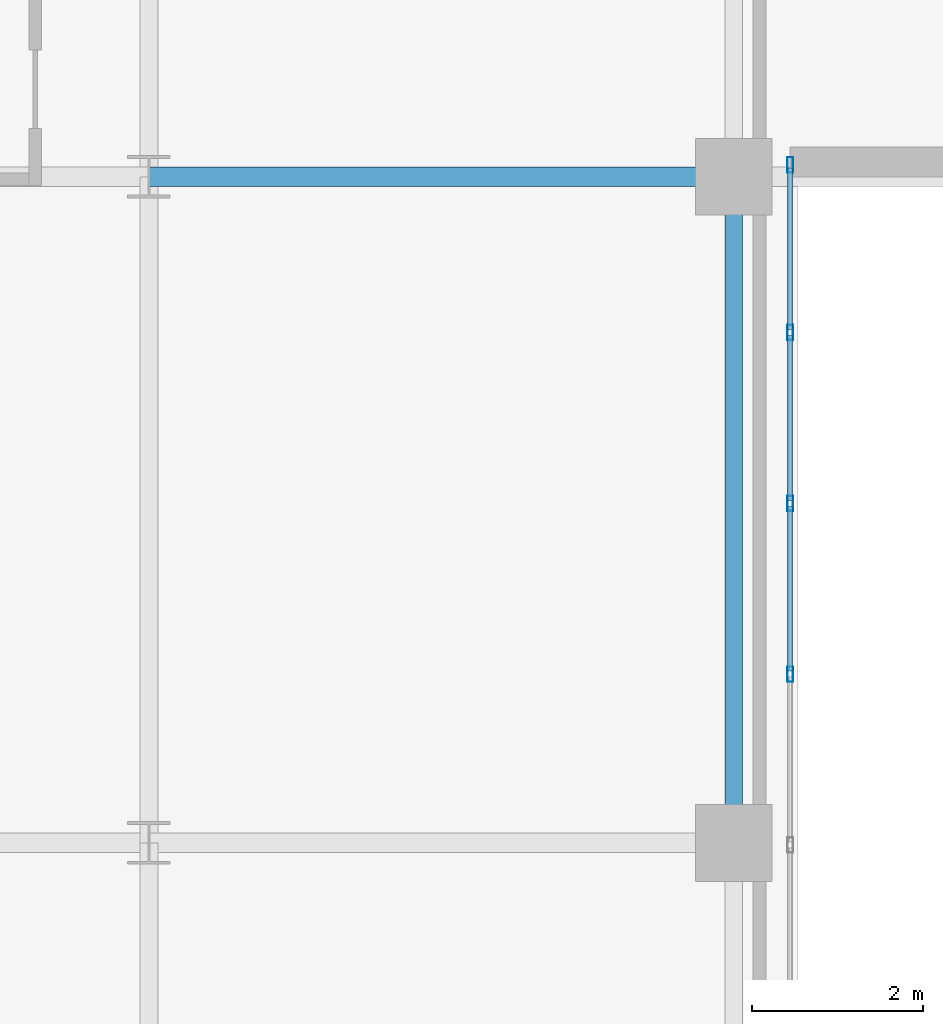
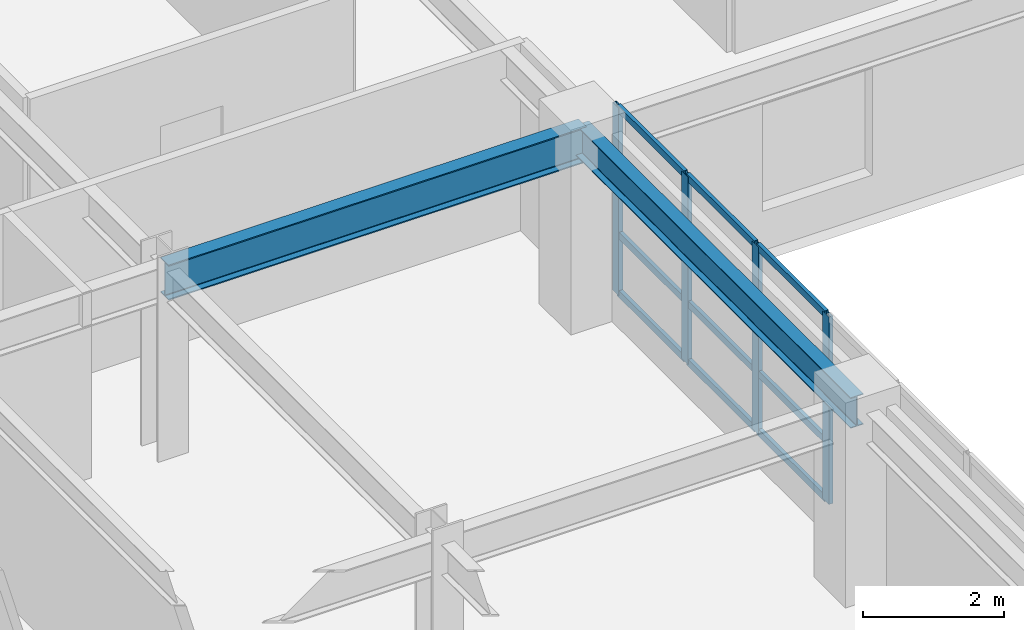
# One storey, part 3 of 16: 13 members, 2 beams, 1 element without a shape of its own.
"""IFC4 building model written with IfcOpenShell, lengths in metres."""

from ifc_helpers import new_model, si_unit, direction, frame, origin, origin_2d, place, context, subcontext, project, spatial, hollow_rectangle, i_section, extrude, source, transform, mapped, material, layer, layer_set, material_profile, profile_set, type_object, type_shapes, element, aggregate, save


model = new_model("IFC4")

# Units and contexts
model_context = context("Model", 3, precision=1e-05, world=origin(), true_north=direction((0.0, 1.0)))
body_context = subcontext(model_context, "Body", "Model", "MODEL_VIEW")
ifc_project = project(units=[si_unit("LENGTHUNIT", "METRE"), si_unit("AREAUNIT", "SQUARE_METRE"), si_unit("VOLUMEUNIT", "CUBIC_METRE"), si_unit("PLANEANGLEUNIT", "RADIAN"), si_unit("MASSUNIT", "GRAM", prefix="KILO")], contexts=[model_context])

# Site, building, storey
site_placement = place(None, origin())
site = spatial("IfcSite", under=ifc_project, at=site_placement, CompositionType="ELEMENT")
building_placement = place(site_placement, origin())
building = spatial("IfcBuilding", under=site, at=building_placement, Name="Tolvann Quenvar Hotel", CompositionType="ELEMENT")
storey_placement = place(building_placement, frame((0.0, 0.0, 92.35009765625)))
storey = spatial("IfcBuildingStorey", under=building, at=storey_placement, Name="L23", CompositionType="ELEMENT", Elevation=92.35009765625)

# Beams
ifc_material_1 = material(Name="Steel Grade 350", Category="steel")
ifc_material_profile_1 = material_profile(ifc_material_1, i_section(OverallWidth=0.22900390625, OverallDepth=0.612060546875, WebThickness=0.011962890625, FlangeThickness=0.01953125, FilletRadius=0.013916015625, at=origin_2d()), Name="610UB125")
ifc_profile_set_1 = profile_set([ifc_material_profile_1], Name="Steel Grade 350")
beam_type_1 = type_object("IfcBeamType", Name="BM_GIRD_610UB125", PredefinedType="BEAM", material=ifc_profile_set_1)
shared_shape_1 = source(origin(), body_context, "Body", "SweptSolid", [
    extrude(i_section(OverallWidth=0.22900390625, OverallDepth=0.612060546875, WebThickness=0.011962890625, FlangeThickness=0.01953125, FilletRadius=0.013916015625, at=origin_2d()), origin(), (0.0, 0.0, 1.0), 6.85009765625),
])
type_shapes(beam_type_1, [shared_shape_1])
beam_1_placement = place(storey_placement, frame((15.199951171875, 16.0, 2.94384765625), z_axis=(1.0, 0.0, 0.0), x_axis=(0.0, 1.0, 0.0)))
element("IfcBeam", 1, at=beam_1_placement, inside=storey, type_object=beam_type_1, Name="BM-L23-EW-4-D4-E4", PredefinedType="BEAM", context=body_context, shape_type="MappedRepresentation", body=[
    mapped(shared_shape_1, transform((0.0, 0.0, 0.0), x_axis=(1.0, 0.0, 0.0), y_axis=(0.0, 1.0, 0.0), z_axis=(0.0, 0.0, 1.0), scale=1.0)),
])
ifc_material_profile_2 = material_profile(ifc_material_1, i_section(OverallWidth=0.208984375, OverallDepth=0.532958984375, WebThickness=0.01025390625, FlangeThickness=0.015625, FilletRadius=0.013916015625, at=origin_2d()), Name="530UB92")
ifc_profile_set_2 = profile_set([ifc_material_profile_2], Name="Steel Grade 350")
beam_type_2 = type_object("IfcBeamType", Name="BM_GIRD_530UB92", PredefinedType="BEAM", material=ifc_profile_set_2)
shared_shape_2 = source(origin(), body_context, "Body", "SweptSolid", [
    extrude(i_section(OverallWidth=0.208984375, OverallDepth=0.532958984375, WebThickness=0.01025390625, FlangeThickness=0.015625, FilletRadius=0.013916015625, at=origin_2d()), origin(), (0.0, 0.0, 1.0), 7.800048828125),
])
type_shapes(beam_type_2, [shared_shape_2])
beam_2_placement = place(storey_placement, frame((22.050048828125, 8.199951171875, 2.9833984375), z_axis=(0.0, 1.0, 0.0), x_axis=(-1.0, 0.0, 0.0)))
element("IfcBeam", 2, at=beam_2_placement, inside=storey, type_object=beam_type_2, Name="BM-L23-NS-E3-E4", PredefinedType="BEAM", context=body_context, shape_type="MappedRepresentation", body=[
    mapped(shared_shape_2, transform((0.0, 0.0, 0.0), x_axis=(1.0, 0.0, 0.0), y_axis=(0.0, 1.0, 0.0), z_axis=(0.0, 0.0, 1.0), scale=1.0)),
])

# Curtain wall, members
ifc_material_2 = material(Name="Thermally broken anodised architectural aluminium 6063-T6 and laminated low-E glass", Category="aluminium")
ifc_layer = layer(ifc_material_2, 0.179931640625)
ifc_layer_set = layer_set([ifc_layer], Name="Thermally broken anodised architectural aluminium 6063-T6 and laminated low-E glass")
curtain_wall_type = type_object("IfcCurtainWallType", Name="CW_SYS_SLOT_03", PredefinedType="USERDEFINED", material=ifc_layer_set)
curtain_wall_placement = place(storey_placement, origin())
curtain_wall = element("IfcCurtainWall", 3, at=curtain_wall_placement, inside=storey, type_object=curtain_wall_type, Name="Curtain Wall CW-SLOT-03 (CWR-L23-E05)", ObjectType="UNITISED CURTAIN WALL", PredefinedType="USERDEFINED")
ifc_material_3 = material(Name="Anodised architectural aluminium 6063-T6 framing", Category="aluminium")
ifc_material_profile_3 = material_profile(ifc_material_3, hollow_rectangle(XDim=0.06005859375, YDim=0.1201171875, WallThickness=0.00341796875, at=origin_2d()), Name="120x60x3.5RHS")
ifc_profile_set_3 = profile_set([ifc_material_profile_3], Name="Anodised architectural aluminium 6063-T6 framing")
member_type_1 = type_object("IfcMemberType", Name="CW_TRAN_120x60", PredefinedType="USERDEFINED", material=ifc_profile_set_3)
shared_shape_3 = source(origin(), body_context, "Body", "SweptSolid", [
    extrude(hollow_rectangle(XDim=0.06005859375, YDim=0.1201171875, WallThickness=0.00341796875, at=origin_2d()), origin(), (0.0, 0.0, 1.0), 1.929931640625),
])
member_1_placement = place(storey_placement, frame((22.7099609375, 10.2099609375, 0.02978515625), z_axis=(0.0, 1.0, 0.0), x_axis=(-1.0, 0.0, 0.0)))
member_1 = element("IfcMember", 4, at=member_1_placement, type_object=member_type_1, Name="CW-SLOT-03 transom 6.1", ObjectType="TRANSOM", PredefinedType="USERDEFINED", context=body_context, shape_type="MappedRepresentation", body=[
    mapped(shared_shape_3, transform((0.0, 0.0, 0.0), x_axis=(1.0, 0.0, 0.0), y_axis=(0.0, 1.0, 0.0), z_axis=(0.0, 0.0, 1.0), scale=1.0)),
])
member_2_placement = place(storey_placement, frame((22.7099609375, 10.2099609375, 1.039794921875), z_axis=(0.0, 1.0, 0.0), x_axis=(-1.0, 0.0, 0.0)))
member_2 = element("IfcMember", 5, at=member_2_placement, type_object=member_type_1, Name="CW-SLOT-03 transom 6.2", ObjectType="TRANSOM", PredefinedType="USERDEFINED", context=body_context, shape_type="MappedRepresentation", body=[
    mapped(shared_shape_3, transform((0.0, 0.0, 0.0), x_axis=(1.0, 0.0, 0.0), y_axis=(0.0, 1.0, 0.0), z_axis=(0.0, 0.0, 1.0), scale=1.0)),
])
member_3_placement = place(storey_placement, frame((22.7099609375, 10.2099609375, 3.219970703125), z_axis=(0.0, 1.0, 0.0), x_axis=(-1.0, 0.0, 0.0)))
member_3 = element("IfcMember", 6, at=member_3_placement, type_object=member_type_1, Name="CW-SLOT-03 transom 6.3", ObjectType="TRANSOM", PredefinedType="USERDEFINED", context=body_context, shape_type="MappedRepresentation", body=[
    mapped(shared_shape_3, transform((0.0, 0.0, 0.0), x_axis=(1.0, 0.0, 0.0), y_axis=(0.0, 1.0, 0.0), z_axis=(0.0, 0.0, 1.0), scale=1.0)),
])
member_4_placement = place(storey_placement, frame((22.7099609375, 12.2099609375, 0.02978515625), z_axis=(0.0, 1.0, 0.0), x_axis=(-1.0, 0.0, 0.0)))
member_4 = element("IfcMember", 7, at=member_4_placement, type_object=member_type_1, Name="CW-SLOT-03 transom 7.1", ObjectType="TRANSOM", PredefinedType="USERDEFINED", context=body_context, shape_type="MappedRepresentation", body=[
    mapped(shared_shape_3, transform((0.0, 0.0, 0.0), x_axis=(1.0, 0.0, 0.0), y_axis=(0.0, 1.0, 0.0), z_axis=(0.0, 0.0, 1.0), scale=1.0)),
])
member_5_placement = place(storey_placement, frame((22.7099609375, 12.2099609375, 1.039794921875), z_axis=(0.0, 1.0, 0.0), x_axis=(-1.0, 0.0, 0.0)))
member_5 = element("IfcMember", 8, at=member_5_placement, type_object=member_type_1, Name="CW-SLOT-03 transom 7.2", ObjectType="TRANSOM", PredefinedType="USERDEFINED", context=body_context, shape_type="MappedRepresentation", body=[
    mapped(shared_shape_3, transform((0.0, 0.0, 0.0), x_axis=(1.0, 0.0, 0.0), y_axis=(0.0, 1.0, 0.0), z_axis=(0.0, 0.0, 1.0), scale=1.0)),
])
member_6_placement = place(storey_placement, frame((22.7099609375, 12.2099609375, 3.219970703125), z_axis=(0.0, 1.0, 0.0), x_axis=(-1.0, 0.0, 0.0)))
member_6 = element("IfcMember", 9, at=member_6_placement, type_object=member_type_1, Name="CW-SLOT-03 transom 7.3", ObjectType="TRANSOM", PredefinedType="USERDEFINED", context=body_context, shape_type="MappedRepresentation", body=[
    mapped(shared_shape_3, transform((0.0, 0.0, 0.0), x_axis=(1.0, 0.0, 0.0), y_axis=(0.0, 1.0, 0.0), z_axis=(0.0, 0.0, 1.0), scale=1.0)),
])
shared_shape_4 = source(origin(), body_context, "Body", "SweptSolid", [
    extrude(hollow_rectangle(XDim=0.06005859375, YDim=0.1201171875, WallThickness=0.00341796875, at=origin_2d()), origin(), (0.0, 0.0, 1.0), 1.89501953125),
])
type_shapes(member_type_1, [shared_shape_3, shared_shape_4])
member_7_placement = place(storey_placement, frame((22.7099609375, 14.2099609375, 0.02978515625), z_axis=(0.0, 1.0, 0.0), x_axis=(-1.0, 0.0, 0.0)))
member_7 = element("IfcMember", 10, at=member_7_placement, type_object=member_type_1, Name="CW-SLOT-03 transom 8.1", ObjectType="TRANSOM", PredefinedType="USERDEFINED", context=body_context, shape_type="MappedRepresentation", body=[
    mapped(shared_shape_4, transform((0.0, 0.0, 0.0), x_axis=(1.0, 0.0, 0.0), y_axis=(0.0, 1.0, 0.0), z_axis=(0.0, 0.0, 1.0), scale=1.0)),
])
member_8_placement = place(storey_placement, frame((22.7099609375, 14.2099609375, 1.039794921875), z_axis=(0.0, 1.0, 0.0), x_axis=(-1.0, 0.0, 0.0)))
member_8 = element("IfcMember", 11, at=member_8_placement, type_object=member_type_1, Name="CW-SLOT-03 transom 8.2", ObjectType="TRANSOM", PredefinedType="USERDEFINED", context=body_context, shape_type="MappedRepresentation", body=[
    mapped(shared_shape_4, transform((0.0, 0.0, 0.0), x_axis=(1.0, 0.0, 0.0), y_axis=(0.0, 1.0, 0.0), z_axis=(0.0, 0.0, 1.0), scale=1.0)),
])
member_9_placement = place(storey_placement, frame((22.7099609375, 14.2099609375, 3.219970703125), z_axis=(0.0, 1.0, 0.0), x_axis=(-1.0, 0.0, 0.0)))
member_9 = element("IfcMember", 12, at=member_9_placement, type_object=member_type_1, Name="CW-SLOT-03 transom 8.3", ObjectType="TRANSOM", PredefinedType="USERDEFINED", context=body_context, shape_type="MappedRepresentation", body=[
    mapped(shared_shape_4, transform((0.0, 0.0, 0.0), x_axis=(1.0, 0.0, 0.0), y_axis=(0.0, 1.0, 0.0), z_axis=(0.0, 0.0, 1.0), scale=1.0)),
])
ifc_material_profile_4 = material_profile(ifc_material_3, hollow_rectangle(XDim=0.070068359375, YDim=0.179931640625, WallThickness=0.00390625, at=origin_2d()), Name="180x70x4RHS")
ifc_profile_set_4 = profile_set([ifc_material_profile_4], Name="Anodised architectural aluminium 6063-T6 framing")
member_type_2 = type_object("IfcMemberType", Name="CW_MULL_180x70", PredefinedType="MULLION", material=ifc_profile_set_4)
shared_shape_5 = source(origin(), body_context, "Body", "SweptSolid", [
    extrude(hollow_rectangle(XDim=0.070068359375, YDim=0.179931640625, WallThickness=0.00390625, at=origin_2d()), origin(), (0.0, 0.0, 1.0), 3.25),
])
type_shapes(member_type_2, [shared_shape_5])
member_10_placement = place(storey_placement, frame((22.7099609375, 10.175048828125, 0.0), z_axis=(0.0, 0.0, 1.0), x_axis=(-1.0, 0.0, 0.0)))
member_10 = element("IfcMember", 13, at=member_10_placement, type_object=member_type_2, Name="CW-SLOT-03 mullion 6", PredefinedType="MULLION", context=body_context, shape_type="MappedRepresentation", body=[
    mapped(shared_shape_5, transform((0.0, 0.0, 0.0), x_axis=(1.0, 0.0, 0.0), y_axis=(0.0, 1.0, 0.0), z_axis=(0.0, 0.0, 1.0), scale=1.0)),
])
member_11_placement = place(storey_placement, frame((22.7099609375, 12.175048828125, 0.0), z_axis=(0.0, 0.0, 1.0), x_axis=(-1.0, 0.0, 0.0)))
member_11 = element("IfcMember", 14, at=member_11_placement, type_object=member_type_2, Name="CW-SLOT-03 mullion 7", PredefinedType="MULLION", context=body_context, shape_type="MappedRepresentation", body=[
    mapped(shared_shape_5, transform((0.0, 0.0, 0.0), x_axis=(1.0, 0.0, 0.0), y_axis=(0.0, 1.0, 0.0), z_axis=(0.0, 0.0, 1.0), scale=1.0)),
])
member_12_placement = place(storey_placement, frame((22.7099609375, 14.175048828125, 0.0), z_axis=(0.0, 0.0, 1.0), x_axis=(-1.0, 0.0, 0.0)))
member_12 = element("IfcMember", 15, at=member_12_placement, type_object=member_type_2, Name="CW-SLOT-03 mullion 8", PredefinedType="MULLION", context=body_context, shape_type="MappedRepresentation", body=[
    mapped(shared_shape_5, transform((0.0, 0.0, 0.0), x_axis=(1.0, 0.0, 0.0), y_axis=(0.0, 1.0, 0.0), z_axis=(0.0, 0.0, 1.0), scale=1.0)),
])
member_13_placement = place(storey_placement, frame((22.7099609375, 16.139892578125, 0.0), z_axis=(0.0, 0.0, 1.0), x_axis=(-1.0, 0.0, 0.0)))
member_13 = element("IfcMember", 16, at=member_13_placement, type_object=member_type_2, Name="CW-SLOT-03 mullion 9", PredefinedType="MULLION", context=body_context, shape_type="MappedRepresentation", body=[
    mapped(shared_shape_5, transform((0.0, 0.0, 0.0), x_axis=(1.0, 0.0, 0.0), y_axis=(0.0, 1.0, 0.0), z_axis=(0.0, 0.0, 1.0), scale=1.0)),
])
aggregate(curtain_wall, [member_10, member_11, member_12, member_13, member_1, member_2, member_3, member_4, member_5, member_6, member_7, member_8, member_9])

save(model, "model.ifc")
